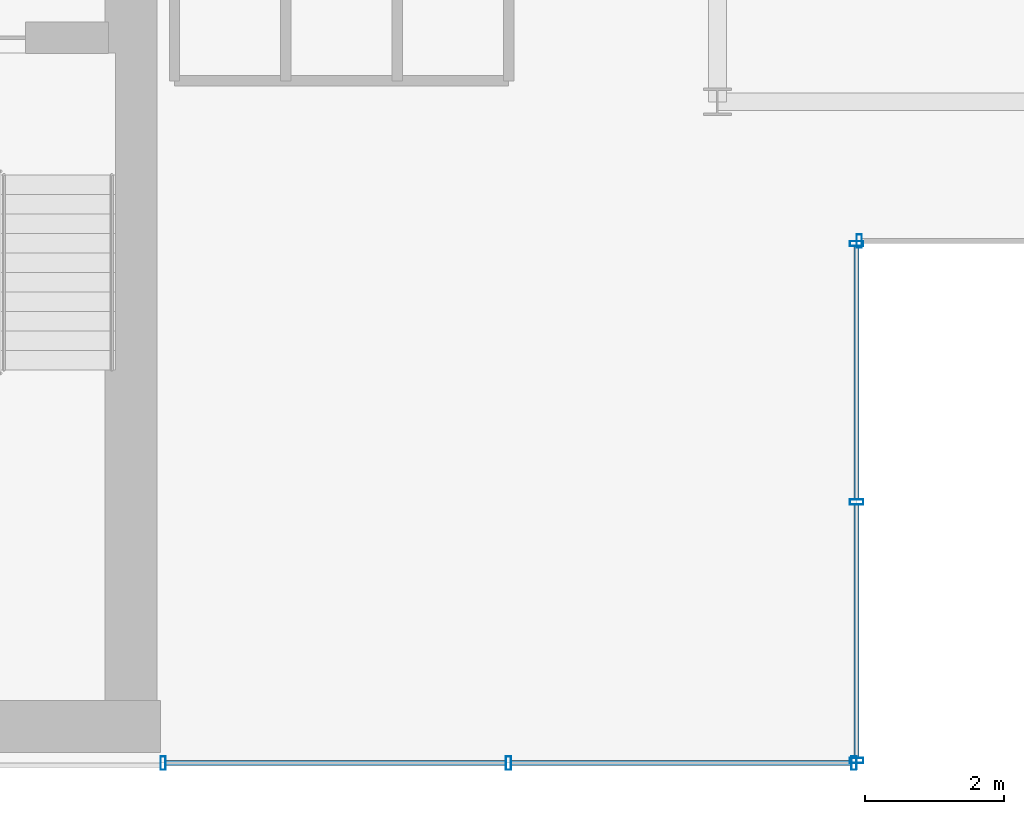
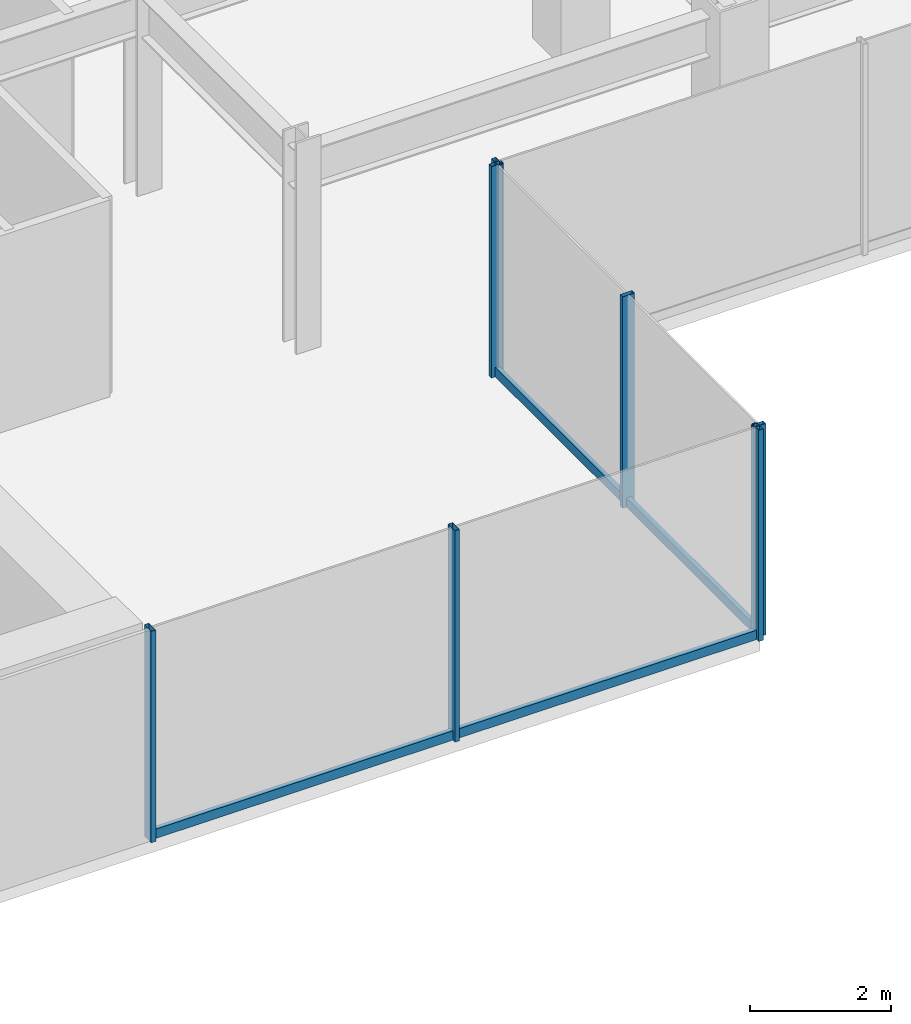
# One storey, part 8 of 26: 11 members, 3 elements without a shape of their own.
"""IFC4 building model written with IfcOpenShell, lengths in metres."""

from ifc_helpers import new_model, si_unit, derived_unit, direction, frame, origin, origin_2d, place, context, subcontext, project, spatial, hollow_rectangle, extrude, source, transform, mapped, material, material_profile, profile_set, type_object, element, aggregate, save


model = new_model("IFC4")

# Units and contexts
model_context = context("Model", 3, precision=1e-05, world=origin(), true_north=direction((0.0, 1.0)))
body_context = subcontext(model_context, "Body", "Model", "MODEL_VIEW")
ifc_project = project(units=[si_unit("LENGTHUNIT", "METRE"), si_unit("AREAUNIT", "SQUARE_METRE"), si_unit("VOLUMEUNIT", "CUBIC_METRE"), si_unit("PLANEANGLEUNIT", "RADIAN"), si_unit("MASSUNIT", "GRAM", prefix="KILO"), derived_unit("THERMALTRANSMITTANCEUNIT", [(si_unit("POWERUNIT", "WATT"), 1), (si_unit("LENGTHUNIT", "METRE"), -2), (si_unit("THERMODYNAMICTEMPERATUREUNIT", "KELVIN"), -1)])], contexts=[model_context])

# Site, building, storey
site_placement = place(None, origin())
site = spatial("IfcSite", under=ifc_project, at=site_placement, CompositionType="ELEMENT")
building_placement = place(site_placement, origin())
building = spatial("IfcBuilding", under=site, at=building_placement, Name="Skarnbrae Concourse Arena and Tower", CompositionType="ELEMENT")
storey_placement = place(building_placement, frame((0.0, 0.0, 121.5)))
storey = spatial("IfcBuildingStorey", under=building, at=storey_placement, Name="L30", CompositionType="ELEMENT", Elevation=121.5)

# Curtain wall, members
ifc_material = material(Name="Bronze anodised aluminium 6063-T6", Category="aluminium")
curtain_wall_type = type_object("IfcCurtainWallType", Name="CW-SYS-04-MIDZONE", PredefinedType="USERDEFINED", material=ifc_material)
curtain_wall_1_placement = place(storey_placement, origin())
curtain_wall_1 = element("IfcCurtainWall", 1, at=curtain_wall_1_placement, inside=storey, type_object=curtain_wall_type, Name="L30 Unitised curtain wall CW-L30-SE-SPINE", ObjectType="UNITISED CURTAIN WALL", PredefinedType="USERDEFINED")
ifc_material_profile_1 = material_profile(ifc_material, hollow_rectangle(XDim=0.074951171875, YDim=0.159912109375, WallThickness=0.00439453125, at=origin_2d()), Name="ALU-TRAN-75X160")
ifc_profile_set_1 = profile_set([ifc_material_profile_1], Name="Bronze anodised aluminium 6063-T6")
member_type_1 = type_object("IfcMemberType", Name="CWT-CW-04", PredefinedType="USERDEFINED", material=ifc_profile_set_1)
shared_shape_1 = source(origin(), body_context, "Body", "SweptSolid", [
    extrude(hollow_rectangle(XDim=0.074951171875, YDim=0.159912109375, WallThickness=0.00439453125, at=origin_2d()), origin(), (0.0, 0.0, 1.0), 4.887451171875),
])
member_1_placement = place(storey_placement, frame((34.074951171875, 0.0, 0.080078125), z_axis=(1.0, 0.0, 0.0), x_axis=(0.0, 1.0, 0.0)))
member_1 = element("IfcMember", 2, at=member_1_placement, type_object=member_type_1, Name="CW-L30-SE-SPINE Transom 1", ObjectType="TRANSOM", PredefinedType="USERDEFINED", context=body_context, shape_type="MappedRepresentation", body=[
    mapped(shared_shape_1, transform((0.0, 0.0, 0.0))),
])
member_2_placement = place(storey_placement, frame((39.03759765625, 0.0, 0.080078125), z_axis=(1.0, 0.0, 0.0), x_axis=(0.0, 1.0, 0.0)))
member_2 = element("IfcMember", 3, at=member_2_placement, type_object=member_type_1, Name="CW-L30-SE-SPINE Transom 2", ObjectType="TRANSOM", PredefinedType="USERDEFINED", context=body_context, shape_type="MappedRepresentation", body=[
    mapped(shared_shape_1, transform((0.0, 0.0, 0.0))),
])

curtain_wall_2_placement = place(storey_placement, origin())
curtain_wall_2 = element("IfcCurtainWall", 4, at=curtain_wall_2_placement, inside=storey, type_object=curtain_wall_type, Name="L30 Unitised curtain wall CW-L30-E02", ObjectType="UNITISED CURTAIN WALL", PredefinedType="USERDEFINED")
shared_shape_2 = source(origin(), body_context, "Body", "SweptSolid", [
    extrude(hollow_rectangle(XDim=0.074951171875, YDim=0.159912109375, WallThickness=0.00439453125, at=origin_2d()), origin(), (0.0, 0.0, 1.0), 3.637451171875),
])
member_3_placement = place(storey_placement, frame((44.0, 0.074951171875, 0.080078125), z_axis=(0.0, 1.0, 0.0), x_axis=(-1.0, 0.0, 0.0)))
member_3 = element("IfcMember", 5, at=member_3_placement, type_object=member_type_1, Name="CW-L30-E02 Transom 1", ObjectType="TRANSOM", PredefinedType="USERDEFINED", context=body_context, shape_type="MappedRepresentation", body=[
    mapped(shared_shape_2, transform((0.0, 0.0, 0.0))),
])
member_4_placement = place(storey_placement, frame((44.0, 3.78759765625, 0.080078125), z_axis=(0.0, 1.0, 0.0), x_axis=(-1.0, 0.0, 0.0)))
member_4 = element("IfcMember", 6, at=member_4_placement, type_object=member_type_1, Name="CW-L30-E02 Transom 2", ObjectType="TRANSOM", PredefinedType="USERDEFINED", context=body_context, shape_type="MappedRepresentation", body=[
    mapped(shared_shape_2, transform((0.0, 0.0, 0.0))),
])

# Member
ifc_material_profile_2 = material_profile(ifc_material, hollow_rectangle(XDim=0.074951171875, YDim=0.195068359375, WallThickness=0.00439453125, at=origin_2d()), Name="ALU-MULL-75X195")
ifc_profile_set_2 = profile_set([ifc_material_profile_2], Name="Bronze anodised aluminium 6063-T6")
member_type_2 = type_object("IfcMemberType", Name="CWM-CW-04", PredefinedType="MULLION", material=ifc_profile_set_2)
shared_shape_3 = source(origin(), body_context, "Body", "SweptSolid", [
    extrude(hollow_rectangle(XDim=0.074951171875, YDim=0.195068359375, WallThickness=0.00439453125, at=origin_2d()), origin(), (0.0, 0.0, 1.0), 3.64990234375),
])
member_5_placement = place(storey_placement, frame((34.03759765625, 0.0, 0.0), z_axis=(0.0, 0.0, 1.0), x_axis=(1.0, 0.0, 0.0)))
member_5 = element("IfcMember", 7, at=member_5_placement, type_object=member_type_2, Name="CW-L30-SE-SPINE Mullion 1", PredefinedType="MULLION", context=body_context, shape_type="MappedRepresentation", body=[
    mapped(shared_shape_3, transform((0.0, 0.0, 0.0))),
])

member_6_placement = place(storey_placement, frame((39.0, 0.0, 0.0), z_axis=(0.0, 0.0, 1.0), x_axis=(1.0, 0.0, 0.0)))
member_6 = element("IfcMember", 8, at=member_6_placement, type_object=member_type_2, Name="CW-L30-SE-SPINE Mullion 2", PredefinedType="MULLION", context=body_context, shape_type="MappedRepresentation", body=[
    mapped(shared_shape_3, transform((0.0, 0.0, 0.0))),
])

member_7_placement = place(storey_placement, frame((43.96240234375, 0.0, 0.0), z_axis=(0.0, 0.0, 1.0), x_axis=(1.0, 0.0, 0.0)))
member_7 = element("IfcMember", 9, at=member_7_placement, type_object=member_type_2, Name="CW-L30-SE-SPINE Mullion 3", PredefinedType="MULLION", context=body_context, shape_type="MappedRepresentation", body=[
    mapped(shared_shape_3, transform((0.0, 0.0, 0.0))),
])

aggregate(curtain_wall_1, [member_5, member_6, member_7, member_1, member_2])

member_8_placement = place(storey_placement, frame((44.0, 0.03759765625, 0.0), z_axis=(0.0, 0.0, 1.0), x_axis=(0.0, 1.0, 0.0)))
member_8 = element("IfcMember", 10, at=member_8_placement, type_object=member_type_2, Name="CW-L30-E02 Mullion 1", PredefinedType="MULLION", context=body_context, shape_type="MappedRepresentation", body=[
    mapped(shared_shape_3, transform((0.0, 0.0, 0.0))),
])

member_9_placement = place(storey_placement, frame((44.0, 3.75, 0.0), z_axis=(0.0, 0.0, 1.0), x_axis=(0.0, 1.0, 0.0)))
member_9 = element("IfcMember", 11, at=member_9_placement, type_object=member_type_2, Name="CW-L30-E02 Mullion 2", PredefinedType="MULLION", context=body_context, shape_type="MappedRepresentation", body=[
    mapped(shared_shape_3, transform((0.0, 0.0, 0.0))),
])

member_10_placement = place(storey_placement, frame((44.0, 7.46240234375, 0.0), z_axis=(0.0, 0.0, 1.0), x_axis=(0.0, 1.0, 0.0)))
member_10 = element("IfcMember", 12, at=member_10_placement, type_object=member_type_2, Name="CW-L30-E02 Mullion 3", PredefinedType="MULLION", context=body_context, shape_type="MappedRepresentation", body=[
    mapped(shared_shape_3, transform((0.0, 0.0, 0.0))),
])

aggregate(curtain_wall_2, [member_8, member_9, member_10, member_3, member_4])

# Curtain wall, member
curtain_wall_3_placement = place(storey_placement, origin())
curtain_wall_3 = element("IfcCurtainWall", 13, at=curtain_wall_3_placement, inside=storey, type_object=curtain_wall_type, Name="L30 Unitised curtain wall CW-L30-E03", ObjectType="UNITISED CURTAIN WALL", PredefinedType="USERDEFINED")
member_11_placement = place(storey_placement, frame((44.03759765625, 7.5, 0.0), z_axis=(0.0, 0.0, 1.0), x_axis=(1.0, 0.0, 0.0)))
member_11 = element("IfcMember", 14, at=member_11_placement, type_object=member_type_2, Name="CW-L30-E03 Mullion 1", PredefinedType="MULLION", context=body_context, shape_type="MappedRepresentation", body=[
    mapped(shared_shape_3, transform((0.0, 0.0, 0.0))),
])
aggregate(curtain_wall_3, [member_11])

save(model, "model.ifc")
